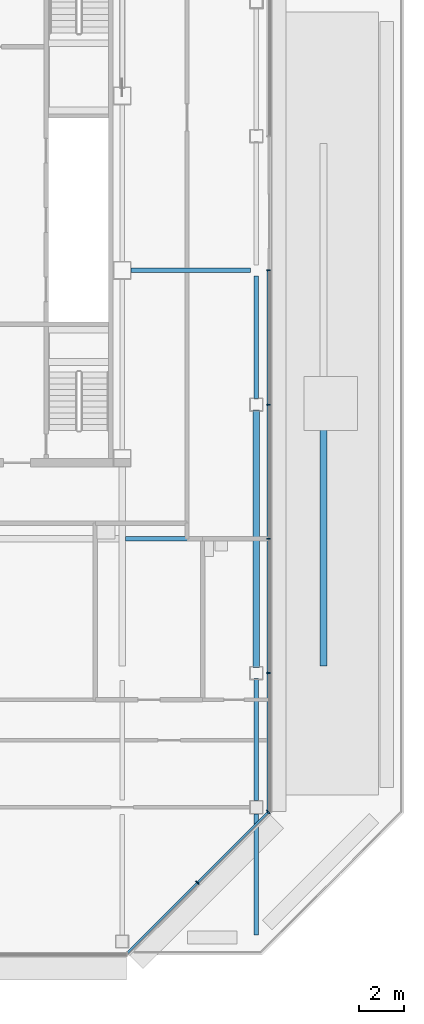
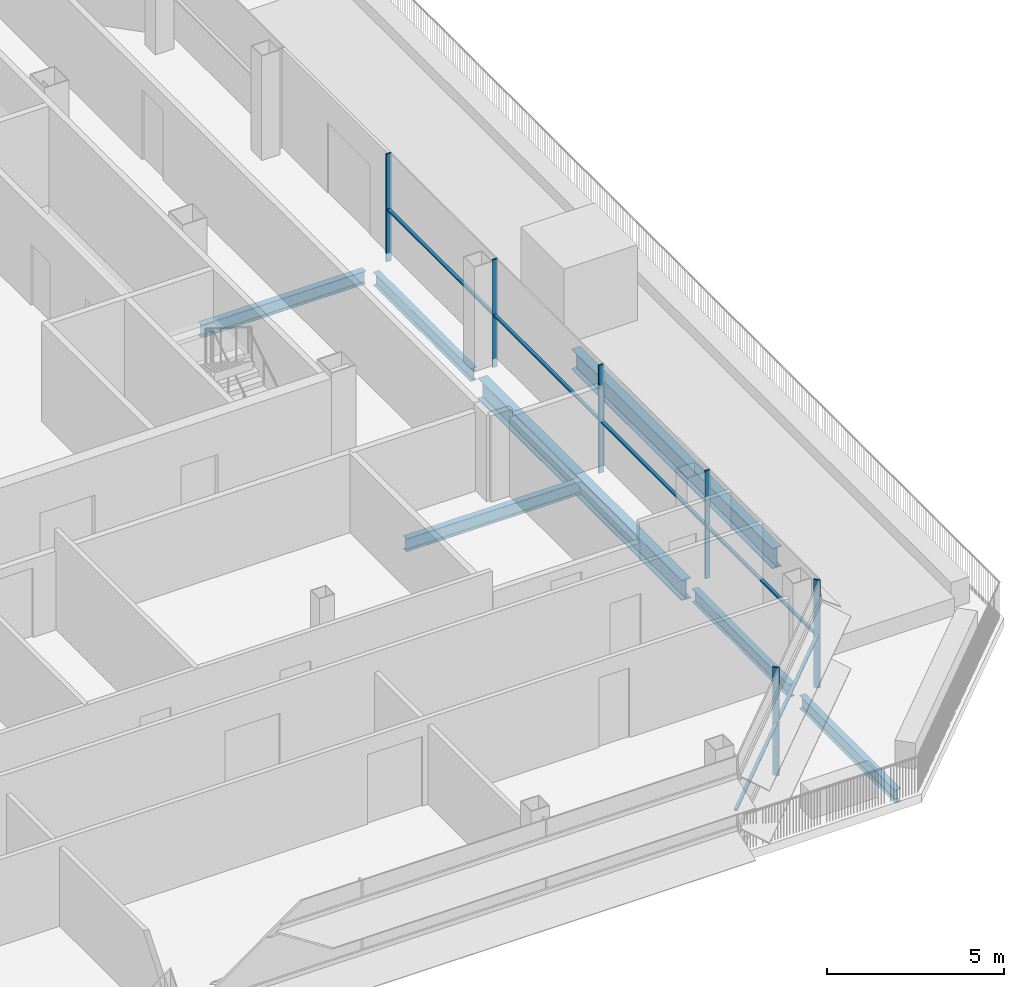
# One storey, part 15 of 28: 8 members, 7 beams, 2 elements without a shape of their own.
"""IFC4 building model written with IfcOpenShell, lengths in metres."""

import ifcopenshell
import ifcopenshell.guid

model = None  # the IFC model being written
_history = None  # IfcOwnerHistory: only IFC2X3 demands one
_inside = {}  # id of a spatial element -> (the spatial element, [elements in it])
_under = {}  # id of a project, library or spatial element -> (it, [spatial elements below it])
_declared = {}  # id of a project -> (the project, [libraries it declares])
_typed = {}  # id of a type object -> (the type object, [elements of that type])
_made_of = {}  # id of a material, layer set ... -> (it, [elements and type objects made of it])


def new_model(schema):
    """Start an empty IFC model of exactly this schema.

    Asked for "IFC4X3", IfcOpenShell would pick the latest addendum, in which some entities
    have other attributes; the version numbers below select the first issue.
    IFC2X3 requires an IfcOwnerHistory on every rooted entity: one is made here for all.
    """
    global model, _history
    if schema == "IFC4X3":
        model = ifcopenshell.file(schema_version=(4, 3, 0, 0))
    else:
        model = ifcopenshell.file(schema=schema)
    _inside.clear()
    _under.clear()
    _declared.clear()
    _typed.clear()
    _made_of.clear()
    _history = None
    if model.schema == "IFC2X3":
        org = make("IfcOrganization", Name="unknown")
        user = make(
            "IfcPersonAndOrganization",
            ThePerson=make("IfcPerson", FamilyName="unknown"),
            TheOrganization=org,
        )
        app = make(
            "IfcApplication",
            ApplicationDeveloper=org,
            Version="unknown",
            ApplicationFullName="unknown",
            ApplicationIdentifier="unknown",
        )
        _history = make(
            "IfcOwnerHistory",
            OwningUser=user,
            OwningApplication=app,
            ChangeAction="ADDED",
            CreationDate=0,
        )
    return model


def make(cls, **values):
    """One entity of the class cls with the attributes given. An attribute that is None is left unset."""
    return model.create_entity(
        cls, **{name: value for name, value in values.items() if value is not None}
    )


def rooted(cls, **values):
    """An entity with a GlobalId (a new one), such as an element, a storey or a relation."""
    return make(cls, GlobalId=ifcopenshell.guid.new(), OwnerHistory=_history, **values)


def si_unit(unit_type, name, prefix=None):
    """IfcSIUnit, for example si_unit("LENGTHUNIT", "METRE", prefix="MILLI")."""
    return make("IfcSIUnit", UnitType=unit_type, Prefix=prefix, Name=name)


def assignment(units):
    """IfcUnitAssignment: the units of a project."""
    return None if units is None else make("IfcUnitAssignment", Units=units)


def point(xyz):
    """IfcCartesianPoint."""
    return None if xyz is None else make("IfcCartesianPoint", Coordinates=xyz)


def direction(xyz):
    """IfcDirection."""
    return None if xyz is None else make("IfcDirection", DirectionRatios=xyz)


def frame(location, z_axis=None, x_axis=None):
    """IfcAxis2Placement3D, a coordinate frame: its origin and axes. An axis left out is left unset."""
    return make(
        "IfcAxis2Placement3D",
        Location=point(location),
        Axis=direction(z_axis),
        RefDirection=direction(x_axis),
    )


def frame_2d(location, x_axis=None):
    """IfcAxis2Placement2D, a coordinate frame in the plane: its origin and x axis."""
    return make(
        "IfcAxis2Placement2D", Location=point(location), RefDirection=direction(x_axis)
    )


def origin():
    """The frame at (0, 0, 0) with its axes left unset."""
    return frame((0.0, 0.0, 0.0))


def origin_2d():
    """The frame at (0, 0) in the plane with its x axis left unset."""
    return frame_2d((0.0, 0.0))


def place(relative_to, where):
    """IfcLocalPlacement: puts the frame where relative to a parent placement (None: the world)."""
    return make(
        "IfcLocalPlacement", PlacementRelTo=relative_to, RelativePlacement=where
    )


def context(
    kind, dimensions, precision=None, world=None, true_north=None, identifier=None
):
    """IfcGeometricRepresentationContext, for example the 3D "Model" context."""
    return make(
        "IfcGeometricRepresentationContext",
        ContextIdentifier=identifier,
        ContextType=kind,
        CoordinateSpaceDimension=dimensions,
        Precision=precision,
        WorldCoordinateSystem=world,
        TrueNorth=true_north,
    )


def subcontext(parent, identifier, kind, view, scale=None):
    """IfcGeometricRepresentationSubContext, for example "Body" below "Model"."""
    return make(
        "IfcGeometricRepresentationSubContext",
        ContextIdentifier=identifier,
        ContextType=kind,
        ParentContext=parent,
        TargetScale=scale,
        TargetView=view,
    )


def project(units=None, contexts=None):
    """IfcProject with its units and contexts."""
    return rooted(
        "IfcProject",
        Name="project",
        RepresentationContexts=contexts,
        UnitsInContext=assignment(units),
    )


def spatial(cls, under=None, at=None, **own):
    """A site, building, storey or space (cls), placed at a placement, below another one or the project."""
    s = rooted(cls, ObjectPlacement=at, **own)
    if under is not None:
        _under.setdefault(under.id(), (under, []))[1].append(s)
    return s


def profile(cls, at=None, kind="AREA", **sizes):
    """A parametric profile (cls). Its sizes go by their IFC names, for example OverallWidth=200.0."""
    return make(cls, ProfileType=kind, Position=at, **sizes)


def rectangle(**sizes):
    """IfcRectangleProfileDef."""
    return profile("IfcRectangleProfileDef", **sizes)


def i_section(**sizes):
    """IfcIShapeProfileDef."""
    return profile("IfcIShapeProfileDef", **sizes)


def extrude(swept, where, along, depth):
    """IfcExtrudedAreaSolid: the profile swept, set in the frame where, extruded along a direction by depth."""
    return make(
        "IfcExtrudedAreaSolid",
        SweptArea=swept,
        Position=where,
        ExtrudedDirection=direction(along),
        Depth=depth,
    )


def shape(context_of_items, identifier, shape_type, items):
    """IfcShapeRepresentation: the items that make up one representation, for example the "Body"."""
    return make(
        "IfcShapeRepresentation",
        ContextOfItems=context_of_items,
        RepresentationIdentifier=identifier,
        RepresentationType=shape_type,
        Items=items,
    )


def material(Name=None, Category=None):
    """IfcMaterial."""
    return make("IfcMaterial", Name=Name, Category=Category)


def material_profile(
    of_material, cross_section, Name=None, Category=None, Priority=None
):
    """IfcMaterialProfile: a cross section and its material."""
    return make(
        "IfcMaterialProfile",
        Name=Name,
        Material=of_material,
        Profile=cross_section,
        Priority=Priority,
        Category=Category,
    )


def profile_set(profiles, Name=None, composite=None):
    """IfcMaterialProfileSet."""
    return make(
        "IfcMaterialProfileSet",
        Name=Name,
        MaterialProfiles=profiles,
        CompositeProfile=composite,
    )


def made_of(thing, what):
    """Note that an element or type object is made of a material, layer set ...; save() writes the relation."""
    if what is not None:
        _made_of.setdefault(what.id(), (what, []))[1].append(thing)
    return thing


def type_object(cls, material=None, **own):
    """A type object (cls), such as IfcWallType, which elements share."""
    return made_of(rooted(cls, **own), material)


def element(
    cls,
    number,
    at=None,
    inside=None,
    cuts=None,
    type_object=None,
    material=None,
    context=None,
    identifier="Body",
    shape_type=None,
    held_by="IfcProductDefinitionShape",
    body=None,
    shapes=None,
    **own,
):
    """One element of the class cls, such as IfcWall. Its Tag is "e" and its number.

    at: its placement. inside: the storey or other place that contains it. cuts: it is an
    opening in that element (IfcRelVoidsElement). A single representation is given by context,
    identifier, shape_type and body (its items); several are given by shapes. held_by: the class
    of the entity that holds the representations. save() writes the other relations.
    """
    e = rooted(cls, Tag="e%d" % number, ObjectPlacement=at, **own)
    if body is not None:
        shapes = [shape(context, identifier, shape_type, body)]
    if shapes is not None:
        e.Representation = make(held_by, Representations=shapes)
    if inside is not None:
        _inside.setdefault(inside.id(), (inside, []))[1].append(e)
    if cuts is not None:
        rooted(
            "IfcRelVoidsElement", RelatingBuildingElement=cuts, RelatedOpeningElement=e
        )
    if type_object is not None:
        _typed.setdefault(type_object.id(), (type_object, []))[1].append(e)
    return made_of(e, material)


def aggregate(whole, parts):
    """IfcRelAggregates: a whole, such as a stair, and the parts it consists of."""
    return rooted("IfcRelAggregates", RelatingObject=whole, RelatedObjects=parts)


def save(model, path):
    """Write the relations noted so far, then the file.

    IfcRelAggregates (storeys below a building ...), IfcRelContainedInSpatialStructure (elements
    in a storey), IfcRelDefinesByType, IfcRelAssociatesMaterial and IfcRelDeclares: one each for
    every whole, place, type object, material and project.
    """
    for whole, parts in _under.values():
        aggregate(whole, parts)
    for where, things in _inside.values():
        rooted(
            "IfcRelContainedInSpatialStructure",
            RelatedElements=things,
            RelatingStructure=where,
        )
    for kind, things in _typed.values():
        rooted("IfcRelDefinesByType", RelatedObjects=things, RelatingType=kind)
    for what, things in _made_of.values():
        rooted("IfcRelAssociatesMaterial", RelatedObjects=things, RelatingMaterial=what)
    for by, libraries in _declared.values():
        rooted("IfcRelDeclares", RelatingContext=by, RelatedDefinitions=libraries)
    model.write(path)


model = new_model("IFC4")

# Units and contexts
model_context = context("Model", 3, precision=1e-05, world=origin(), true_north=direction((0.0, 1.0)))
body_context = subcontext(model_context, "Body", "Model", "MODEL_VIEW")
ifc_project = project(units=[si_unit("LENGTHUNIT", "METRE"), si_unit("AREAUNIT", "SQUARE_METRE"), si_unit("VOLUMEUNIT", "CUBIC_METRE"), si_unit("PLANEANGLEUNIT", "RADIAN"), si_unit("MASSUNIT", "GRAM", prefix="KILO")], contexts=[model_context])

# Site, building, storey
site_placement = place(None, origin())
site = spatial("IfcSite", under=ifc_project, at=site_placement, CompositionType="ELEMENT")
building_placement = place(site_placement, origin())
building = spatial("IfcBuilding", under=site, at=building_placement, Name="Sorahane Residences", CompositionType="ELEMENT")
storey_placement = place(building_placement, frame((0.0, 0.0, 290.800048828125)))
storey = spatial("IfcBuildingStorey", under=building, at=storey_placement, Name="L68", CompositionType="ELEMENT", Elevation=290.800048828125)

# Curtain wall, members
ifc_material_1 = material(Name="Dark low-e glass and black anodised aluminium", Category="aluminium")
curtain_wall_type_1 = type_object("IfcCurtainWallType", Name="Curtain wall CW-1 Typical unitised wall", PredefinedType="NOTDEFINED", material=ifc_material_1)
curtain_wall_1_placement = place(storey_placement, origin())
curtain_wall_1 = element("IfcCurtainWall", 1, at=curtain_wall_1_placement, inside=storey, type_object=curtain_wall_type_1, Name="CW-1 curtain wall L68 E1", PredefinedType="NOTDEFINED")
ifc_material_2 = material(Name="Black anodised aluminium", Category="aluminium")
ifc_material_profile_1 = material_profile(ifc_material_2, rectangle(XDim=0.159912109375, YDim=0.050048828125, at=origin_2d()), Name="Curtain wall mullion CW-1 black anodised aluminium 50x160")
ifc_profile_set_1 = profile_set([ifc_material_profile_1], Name="Black anodised aluminium")
member_type_1 = type_object("IfcMemberType", Name="Curtain wall mullion CW-1 black anodised aluminium 50x160", PredefinedType="MULLION", material=ifc_profile_set_1)
member_1_placement = place(storey_placement, frame((48.5400390625, 12.0, -0.300048828125), z_axis=(0.0, 0.0, 1.0), x_axis=(1.0, 0.0, 0.0)))
member_1 = element("IfcMember", 2, at=member_1_placement, type_object=member_type_1, Name="CW-1 mullion L68 E1.2", PredefinedType="MULLION", context=body_context, shape_type="SweptSolid", body=[
    extrude(rectangle(XDim=0.159912109375, YDim=0.050048828125, at=origin_2d()), origin(), (0.0, 0.0, 1.0), 3.719970703125),
])
member_2_placement = place(storey_placement, frame((48.5400390625, 18.0, -0.300048828125), z_axis=(0.0, 0.0, 1.0), x_axis=(1.0, 0.0, 0.0)))
member_2 = element("IfcMember", 3, at=member_2_placement, type_object=member_type_1, Name="CW-1 mullion L68 E1.3", PredefinedType="MULLION", context=body_context, shape_type="SweptSolid", body=[
    extrude(rectangle(XDim=0.159912109375, YDim=0.050048828125, at=origin_2d()), origin(), (0.0, 0.0, 1.0), 3.719970703125),
])
member_3_placement = place(storey_placement, frame((48.5400390625, 24.0, -0.300048828125), z_axis=(0.0, 0.0, 1.0), x_axis=(1.0, 0.0, 0.0)))
member_3 = element("IfcMember", 4, at=member_3_placement, type_object=member_type_1, Name="CW-1 mullion L68 E1.4", PredefinedType="MULLION", context=body_context, shape_type="SweptSolid", body=[
    extrude(rectangle(XDim=0.159912109375, YDim=0.050048828125, at=origin_2d()), origin(), (0.0, 0.0, 1.0), 3.719970703125),
])
member_4_placement = place(storey_placement, frame((48.5400390625, 30.0, -0.300048828125), z_axis=(0.0, 0.0, 1.0), x_axis=(1.0, 0.0, 0.0)))
member_4 = element("IfcMember", 5, at=member_4_placement, type_object=member_type_1, Name="CW-1 mullion L68 E1.5", PredefinedType="MULLION", context=body_context, shape_type="SweptSolid", body=[
    extrude(rectangle(XDim=0.159912109375, YDim=0.050048828125, at=origin_2d()), origin(), (0.0, 0.0, 1.0), 3.719970703125),
])

ifc_material_3 = material(Name="Dark low-e glass and black anodised aluminium", Category="aluminium")
curtain_wall_type_2 = type_object("IfcCurtainWallType", Name="Curtain wall CW-2 Chamfer unitised wall", PredefinedType="NOTDEFINED", material=ifc_material_3)
curtain_wall_2_placement = place(storey_placement, origin())
curtain_wall_2 = element("IfcCurtainWall", 6, at=curtain_wall_2_placement, inside=storey, type_object=curtain_wall_type_2, Name="CW-2 curtain wall L68 SE1", PredefinedType="NOTDEFINED")
ifc_material_4 = material(Name="Black anodised aluminium", Category="aluminium")
ifc_material_profile_2 = material_profile(ifc_material_4, rectangle(XDim=0.199951171875, YDim=0.050048828125, at=origin_2d()), Name="Curtain wall mullion CW-2 black anodised aluminium 50x200")
ifc_profile_set_2 = profile_set([ifc_material_profile_2], Name="Black anodised aluminium")
member_type_2 = type_object("IfcMemberType", Name="Curtain wall mullion CW-2 black anodised aluminium 50x200", PredefinedType="MULLION", material=ifc_profile_set_2)
member_5_placement = place(storey_placement, frame((45.36767578125, 2.63232421875, -0.300048828125), z_axis=(0.0, 0.0, 1.0), x_axis=(0.707106781187, -0.707106781187, 0.0)))
member_5 = element("IfcMember", 7, at=member_5_placement, type_object=member_type_2, Name="CW-2 mullion L68 SE1.2", PredefinedType="MULLION", context=body_context, shape_type="SweptSolid", body=[
    extrude(rectangle(XDim=0.199951171875, YDim=0.050048828125, at=origin_2d()), origin(), (0.0, 0.0, 1.0), 3.719970703125),
])
member_6_placement = place(storey_placement, frame((48.525634765625, 5.790283203125, -0.300048828125), z_axis=(0.0, 0.0, 1.0), x_axis=(0.707106781187, -0.707106781187, 0.0)))
member_6 = element("IfcMember", 8, at=member_6_placement, type_object=member_type_2, Name="CW-2 mullion L68 SE1.3", PredefinedType="MULLION", context=body_context, shape_type="SweptSolid", body=[
    extrude(rectangle(XDim=0.199951171875, YDim=0.050048828125, at=origin_2d()), origin(), (0.0, 0.0, 1.0), 3.719970703125),
])

# Member
ifc_material_5 = material(Name="Black anodised aluminium", Category="aluminium")
ifc_material_profile_3 = material_profile(ifc_material_5, rectangle(XDim=0.10009765625, YDim=0.06005859375, at=origin_2d()), Name="Curtain wall transom CW-1 black anodised aluminium 60x100")
ifc_profile_set_3 = profile_set([ifc_material_profile_3], Name="Black anodised aluminium")
member_type_3 = type_object("IfcMemberType", Name="Curtain wall transom CW-1 black anodised aluminium 60x100", PredefinedType="USERDEFINED", material=ifc_profile_set_3)
member_7_placement = place(storey_placement, frame((48.530029296875, 5.801513671875, 1.5), z_axis=(0.0, 1.0, 0.0), x_axis=(-1.0, 0.0, 0.0)))
member_7 = element("IfcMember", 9, at=member_7_placement, type_object=member_type_3, Name="CW-1 transom L68 E1.1", ObjectType="TRANSOM", PredefinedType="USERDEFINED", context=body_context, shape_type="SweptSolid", body=[
    extrude(rectangle(XDim=0.10009765625, YDim=0.06005859375, at=origin_2d()), origin(), (0.0, 0.0, 1.0), 24.173583984375),
])

aggregate(curtain_wall_1, [member_1, member_2, member_3, member_4, member_7])

ifc_material_6 = material(Name="Black anodised aluminium", Category="aluminium")
ifc_material_profile_4 = material_profile(ifc_material_6, rectangle(XDim=0.10009765625, YDim=0.06005859375, at=origin_2d()), Name="Curtain wall transom CW-2 black anodised aluminium 60x100")
ifc_profile_set_4 = profile_set([ifc_material_profile_4], Name="Black anodised aluminium")
member_type_4 = type_object("IfcMemberType", Name="Curtain wall transom CW-2 black anodised aluminium 60x100", PredefinedType="USERDEFINED", material=ifc_profile_set_4)
member_8_placement = place(storey_placement, frame((42.234375, -0.51513671875, 1.5), z_axis=(0.707106781187, 0.707106781187, 0.0), x_axis=(-0.707106781187, 0.707106781187, 0.0)))
member_8 = element("IfcMember", 10, at=member_8_placement, type_object=member_type_4, Name="CW-2 transom L68 SE1", ObjectType="TRANSOM", PredefinedType="USERDEFINED", context=body_context, shape_type="SweptSolid", body=[
    extrude(rectangle(XDim=0.10009765625, YDim=0.06005859375, at=origin_2d()), origin(), (0.0, 0.0, 1.0), 8.88232421875),
])

aggregate(curtain_wall_2, [member_5, member_6, member_8])

# Beams
ifc_material_7 = material(Name="Steel Q355B", Category="steel")
ifc_material_profile_5 = material_profile(ifc_material_7, i_section(OverallWidth=0.199951171875, OverallDepth=0.449951171875, WebThickness=0.009033203125, FlangeThickness=0.013916015625, FilletRadius=0.02001953125, at=origin_2d()), Name="HN 450x200x9x14")
ifc_profile_set_5 = profile_set([ifc_material_profile_5], Name="Steel Q355B")
beam_type_1 = type_object("IfcBeamType", Name="Steel floor beam HN 450x200x9x14 Q355B", PredefinedType="BEAM", material=ifc_profile_set_5)
beam_1_placement = place(storey_placement, frame((48.0, 0.300048828125, -0.525146484375), z_axis=(0.0, 1.0, 0.0), x_axis=(-1.0, 0.0, 0.0)))
element("IfcBeam", 11, at=beam_1_placement, inside=storey, type_object=beam_type_1, Name="Beam L68 052", PredefinedType="BEAM", context=body_context, shape_type="SweptSolid", body=[
    extrude(i_section(OverallWidth=0.199951171875, OverallDepth=0.449951171875, WebThickness=0.009033203125, FlangeThickness=0.013916015625, FilletRadius=0.02001953125, at=origin_2d()), origin(), (0.0, 0.0, 1.0), 5.39990234375),
])
beam_2_placement = place(storey_placement, frame((48.0, 6.300048828125, -0.525146484375), z_axis=(0.0, 1.0, 0.0), x_axis=(-1.0, 0.0, 0.0)))
element("IfcBeam", 12, at=beam_2_placement, inside=storey, type_object=beam_type_1, Name="Beam L68 053", PredefinedType="BEAM", context=body_context, shape_type="SweptSolid", body=[
    extrude(i_section(OverallWidth=0.199951171875, OverallDepth=0.449951171875, WebThickness=0.009033203125, FlangeThickness=0.013916015625, FilletRadius=0.02001953125, at=origin_2d()), origin(), (0.0, 0.0, 1.0), 5.449951171875),
])
beam_3_placement = place(storey_placement, frame((48.0, 24.25, -0.525146484375), z_axis=(0.0, 1.0, 0.0), x_axis=(-1.0, 0.0, 0.0)))
element("IfcBeam", 13, at=beam_3_placement, inside=storey, type_object=beam_type_1, Name="Beam L68 055", PredefinedType="BEAM", context=body_context, shape_type="SweptSolid", body=[
    extrude(i_section(OverallWidth=0.199951171875, OverallDepth=0.449951171875, WebThickness=0.009033203125, FlangeThickness=0.013916015625, FilletRadius=0.02001953125, at=origin_2d()), origin(), (0.0, 0.0, 1.0), 5.5),
])
beam_4_placement = place(storey_placement, frame((42.14990234375, 18.0, -0.525146484375), z_axis=(1.0, 0.0, 0.0), x_axis=(0.0, 1.0, 0.0)))
element("IfcBeam", 14, at=beam_4_placement, inside=storey, type_object=beam_type_1, Name="Beam L68 065", PredefinedType="BEAM", context=body_context, shape_type="SweptSolid", body=[
    extrude(i_section(OverallWidth=0.199951171875, OverallDepth=0.449951171875, WebThickness=0.009033203125, FlangeThickness=0.013916015625, FilletRadius=0.02001953125, at=origin_2d()), origin(), (0.0, 0.0, 1.0), 5.7001953125),
])
beam_5_placement = place(storey_placement, frame((42.39990234375, 30.0, -0.525146484375), z_axis=(1.0, 0.0, 0.0), x_axis=(0.0, 1.0, 0.0)))
element("IfcBeam", 15, at=beam_5_placement, inside=storey, type_object=beam_type_1, Name="Beam L68 069", PredefinedType="BEAM", context=body_context, shape_type="SweptSolid", body=[
    extrude(i_section(OverallWidth=0.199951171875, OverallDepth=0.449951171875, WebThickness=0.009033203125, FlangeThickness=0.013916015625, FilletRadius=0.02001953125, at=origin_2d()), origin(), (0.0, 0.0, 1.0), 5.35009765625),
])
ifc_material_8 = material(Name="Steel Q355B", Category="steel")
ifc_material_profile_6 = material_profile(ifc_material_8, i_section(OverallWidth=0.300048828125, OverallDepth=0.699951171875, WebThickness=0.012939453125, FlangeThickness=0.02392578125, FilletRadius=0.028076171875, at=origin_2d()), Name="HN 700x300x13x24")
ifc_profile_set_6 = profile_set([ifc_material_profile_6], Name="Steel Q355B")
beam_type_2 = type_object("IfcBeamType", Name="Steel floor beam HN 700x300x13x24 Q355B", PredefinedType="BEAM", material=ifc_profile_set_6)
beam_6_placement = place(storey_placement, frame((48.0, 12.25, -0.650146484375), z_axis=(0.0, 1.0, 0.0), x_axis=(-1.0, 0.0, 0.0)))
element("IfcBeam", 16, at=beam_6_placement, inside=storey, type_object=beam_type_2, Name="Beam L68 054", PredefinedType="BEAM", context=body_context, shape_type="SweptSolid", body=[
    extrude(i_section(OverallWidth=0.300048828125, OverallDepth=0.699951171875, WebThickness=0.012939453125, FlangeThickness=0.02392578125, FilletRadius=0.028076171875, at=origin_2d()), origin(), (0.0, 0.0, 1.0), 11.5),
])
beam_7_placement = place(storey_placement, frame((51.0, 12.3251953125, -0.650146484375), z_axis=(0.0, 1.0, 0.0), x_axis=(-1.0, 0.0, 0.0)))
element("IfcBeam", 17, at=beam_7_placement, inside=storey, type_object=beam_type_2, Name="Beam L68 072", PredefinedType="BEAM", context=body_context, shape_type="SweptSolid", body=[
    extrude(i_section(OverallWidth=0.300048828125, OverallDepth=0.699951171875, WebThickness=0.012939453125, FlangeThickness=0.02392578125, FilletRadius=0.028076171875, at=origin_2d()), origin(), (0.0, 0.0, 1.0), 11.349609375),
])

save(model, "model.ifc")
